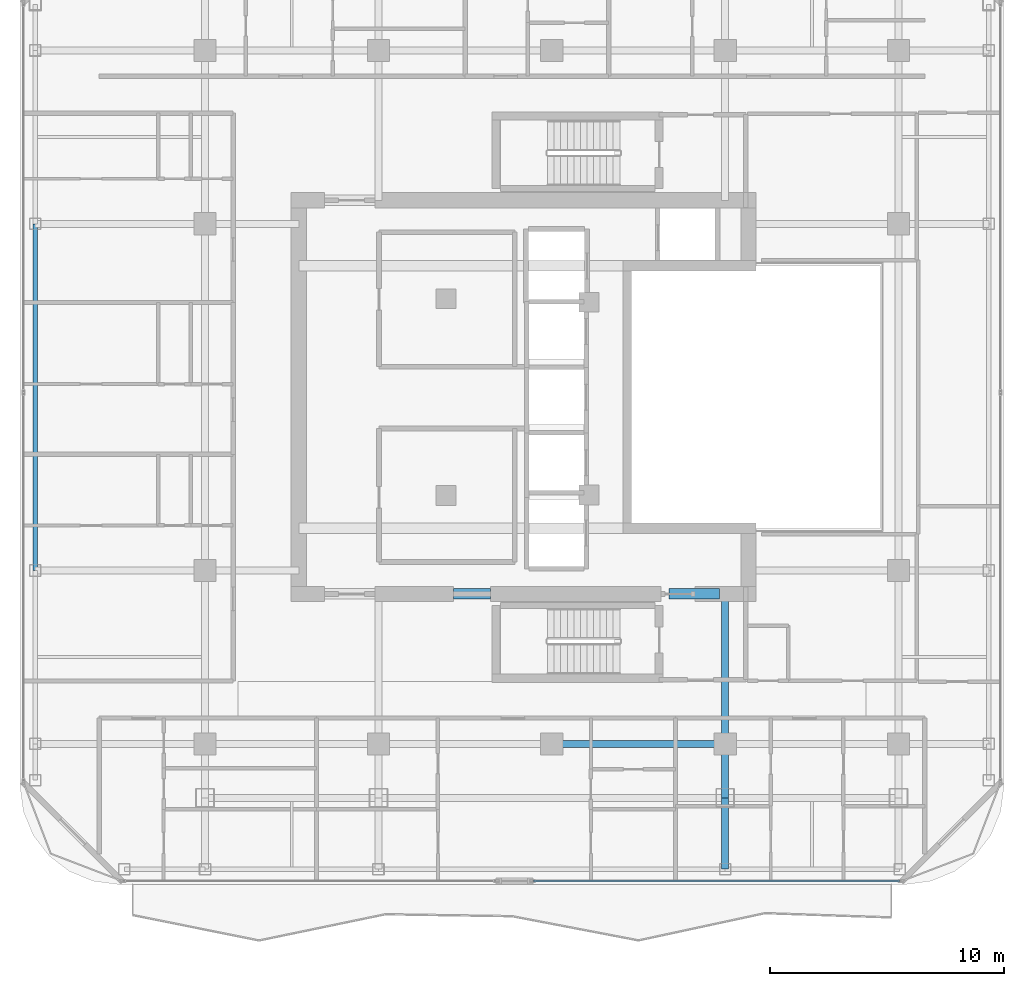
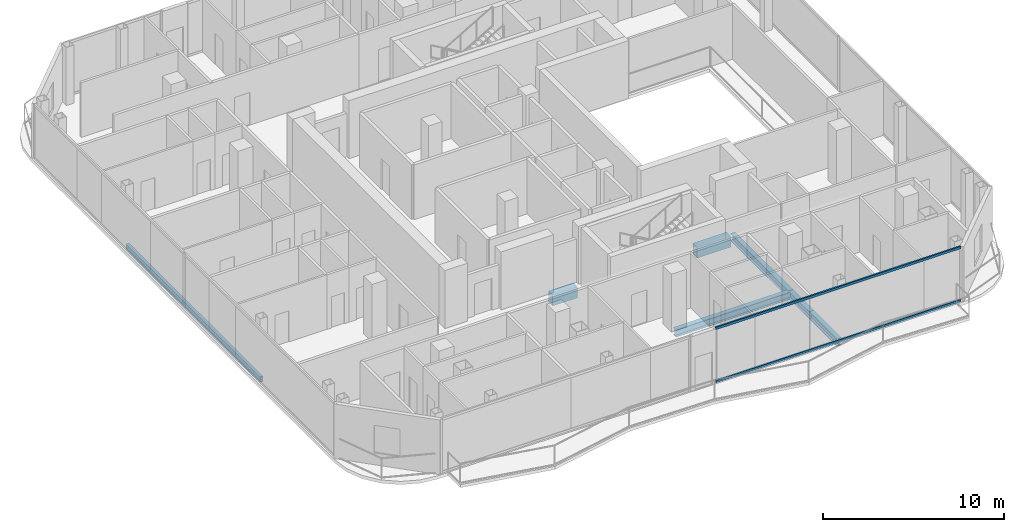
# One storey, part 5 of 23: 7 beams, 2 members, 1 element without a shape of its own.
"""IFC4 building model written with IfcOpenShell, lengths in metres."""

from ifc_helpers import new_model, si_unit, direction, frame, origin, origin_2d, place, context, subcontext, project, spatial, rectangle, hollow_rectangle, i_section, extrude, material, layer, layer_set, material_profile, profile_set, type_object, element, aggregate, save


model = new_model("IFC4")

# Units and contexts
model_context = context("Model", 3, precision=1e-05, world=origin(), true_north=direction((0.0, 1.0)))
body_context = subcontext(model_context, "Body", "Model", "MODEL_VIEW")
ifc_project = project(units=[si_unit("LENGTHUNIT", "METRE"), si_unit("AREAUNIT", "SQUARE_METRE"), si_unit("VOLUMEUNIT", "CUBIC_METRE"), si_unit("PLANEANGLEUNIT", "RADIAN"), si_unit("MASSUNIT", "GRAM", prefix="KILO")], contexts=[model_context])

# Site, building, storey
site_placement = place(None, origin())
site = spatial("IfcSite", under=ifc_project, at=site_placement, CompositionType="ELEMENT")
building_placement = place(site_placement, origin())
building = spatial("IfcBuilding", under=site, at=building_placement, Name="Khorvyn Point Tower", CompositionType="ELEMENT")
storey_placement = place(building_placement, frame((0.0, 0.0, 297.60009765625)))
storey = spatial("IfcBuildingStorey", under=building, at=storey_placement, Name="L73", CompositionType="ELEMENT", Elevation=297.60009765625)

# Curtain wall, members
ifc_material_1 = material(Name="Anodised aluminium 6063-T6 and laminated Low-E glass", Category="aluminium")
ifc_layer = layer(ifc_material_1, 0.18994140625)
ifc_layer_set = layer_set([ifc_layer], Name="Stick-Built High-Wind Curtain Wall CW-SYS-04")
curtain_wall_type = type_object("IfcCurtainWallType", Name="Stick-Built High-Wind Curtain Wall CW-SYS-04", PredefinedType="NOTDEFINED", material=ifc_layer_set)
curtain_wall_placement = place(storey_placement, origin())
curtain_wall = element("IfcCurtainWall", 1, at=curtain_wall_placement, inside=storey, type_object=curtain_wall_type, Name="Curtain Wall", PredefinedType="NOTDEFINED")
ifc_material_2 = material(Name="Anodised aluminium 6063-T6", Category="aluminium")
ifc_material_profile_1 = material_profile(ifc_material_2, hollow_rectangle(XDim=0.10009765625, YDim=0.159912109375, WallThickness=0.00439453125, at=origin_2d()))
ifc_profile_set_1 = profile_set([ifc_material_profile_1], Name="Anodised aluminium 6063-T6 ALU-TRN-100x160")
member_type = type_object("IfcMemberType", Name="Anodised Aluminium 6063-T6 Transom ALU-TRN-100x160", PredefinedType="USERDEFINED", material=ifc_profile_set_1)
member_1_placement = place(storey_placement, frame((14.85009765625, -20.64990234375, 0.0498046875), z_axis=(-1.0, 0.0, 0.0), x_axis=(0.0, -1.0, 0.0)))
member_1 = element("IfcMember", 2, at=member_1_placement, type_object=member_type, Name="Transom", ObjectType="TRANSOM", PredefinedType="USERDEFINED", context=body_context, shape_type="SweptSolid", body=[
    extrude(hollow_rectangle(XDim=0.10009765625, YDim=0.159912109375, WallThickness=0.00439453125, at=origin_2d()), origin(), (0.0, 0.0, 1.0), 15.627197265625),
])
member_2_placement = place(storey_placement, frame((14.85009765625, -20.64990234375, 3.6298828125), z_axis=(-1.0, 0.0, 0.0), x_axis=(0.0, -1.0, 0.0)))
member_2 = element("IfcMember", 3, at=member_2_placement, type_object=member_type, Name="Transom", ObjectType="TRANSOM", PredefinedType="USERDEFINED", context=body_context, shape_type="SweptSolid", body=[
    extrude(hollow_rectangle(XDim=0.10009765625, YDim=0.159912109375, WallThickness=0.00439453125, at=origin_2d()), origin(), (0.0, 0.0, 1.0), 15.627197265625),
])
aggregate(curtain_wall, [member_1, member_2])

# Beams
ifc_material_3 = material(Name="Concrete C40/50", Category="concrete")
ifc_material_profile_2 = material_profile(ifc_material_3, rectangle(XDim=0.449951171875, YDim=0.75, at=origin_2d()))
ifc_profile_set_2 = profile_set([ifc_material_profile_2], Name="Concrete C40/50 RC450x750")
beam_type_1 = type_object("IfcBeamType", Name="Concrete C40/50 Beam RC450x750", PredefinedType="BEAM", material=ifc_profile_set_2)
beam_1_placement = place(storey_placement, frame((-4.199951171875, -8.39990234375, -0.59521484375), z_axis=(1.0, 0.0, 0.0), x_axis=(0.0, 1.0, 0.0)))
element("IfcBeam", 4, at=beam_1_placement, inside=storey, type_object=beam_type_1, Name="L73 Core Shuttle Portal Coupling Beam", PredefinedType="BEAM", context=body_context, shape_type="SweptSolid", body=[
    extrude(rectangle(XDim=0.449951171875, YDim=0.75, at=origin_2d()), origin(), (0.0, 0.0, 1.0), 1.579833984375),
])
beam_2_placement = place(storey_placement, frame((5.0, -8.39990234375, -0.59521484375), z_axis=(1.0, 0.0, 0.0), x_axis=(0.0, 1.0, 0.0)))
element("IfcBeam", 5, at=beam_2_placement, inside=storey, type_object=beam_type_1, Name="L73 Core Southeast Portal Coupling Beam", PredefinedType="BEAM", context=body_context, shape_type="SweptSolid", body=[
    extrude(rectangle(XDim=0.449951171875, YDim=0.75, at=origin_2d()), origin(), (0.0, 0.0, 1.0), 2.14990234375),
])
ifc_material_4 = material(Name="Steel S355", Category="steel")
ifc_material_profile_3 = material_profile(ifc_material_4, i_section(OverallWidth=0.300048828125, OverallDepth=0.488037109375, WebThickness=0.010986328125, FlangeThickness=0.01806640625, at=origin_2d()))
ifc_profile_set_3 = profile_set([ifc_material_profile_3], Name="Steel S355 H488x300x11x18")
beam_type_2 = type_object("IfcBeamType", Name="Steel S355 Spandrel H488x300x11x18", PredefinedType="SPANDREL", material=ifc_profile_set_3)
beam_3_placement = place(storey_placement, frame((0.0, -14.800048828125, -0.464111328125), z_axis=(1.0, 0.0, 0.0), x_axis=(0.0, 1.0, 0.0)))
element("IfcBeam", 6, at=beam_3_placement, inside=storey, type_object=beam_type_2, Name="Beam", PredefinedType="SPANDREL", context=body_context, shape_type="SweptSolid", body=[
    extrude(i_section(OverallWidth=0.300048828125, OverallDepth=0.488037109375, WebThickness=0.010986328125, FlangeThickness=0.01806640625, at=origin_2d()), origin(), (0.0, 0.0, 1.0), 7.39990234375),
])
beam_4_placement = place(storey_placement, frame((7.39990234375, -20.14990234375, -0.464111328125), z_axis=(0.0, 1.0, 0.0), x_axis=(-1.0, 0.0, 0.0)))
element("IfcBeam", 7, at=beam_4_placement, inside=storey, type_object=beam_type_2, Name="Beam", PredefinedType="SPANDREL", context=body_context, shape_type="SweptSolid", body=[
    extrude(i_section(OverallWidth=0.300048828125, OverallDepth=0.488037109375, WebThickness=0.010986328125, FlangeThickness=0.01806640625, at=origin_2d()), origin(), (0.0, 0.0, 1.0), 3.0498046875),
])
beam_5_placement = place(storey_placement, frame((7.39990234375, -17.10009765625, -0.464111328125), z_axis=(0.0, 1.0, 0.0), x_axis=(-1.0, 0.0, 0.0)))
element("IfcBeam", 8, at=beam_5_placement, inside=storey, type_object=beam_type_2, Name="Beam", PredefinedType="SPANDREL", context=body_context, shape_type="SweptSolid", body=[
    extrude(i_section(OverallWidth=0.300048828125, OverallDepth=0.488037109375, WebThickness=0.010986328125, FlangeThickness=0.01806640625, at=origin_2d()), origin(), (0.0, 0.0, 1.0), 2.300048828125),
])
beam_6_placement = place(storey_placement, frame((7.39990234375, -14.800048828125, -0.464111328125), z_axis=(0.0, 1.0, 0.0), x_axis=(-1.0, 0.0, 0.0)))
element("IfcBeam", 9, at=beam_6_placement, inside=storey, type_object=beam_type_2, Name="Beam", PredefinedType="SPANDREL", context=body_context, shape_type="SweptSolid", body=[
    extrude(i_section(OverallWidth=0.300048828125, OverallDepth=0.488037109375, WebThickness=0.010986328125, FlangeThickness=0.01806640625, at=origin_2d()), origin(), (0.0, 0.0, 1.0), 6.400146484375),
])
ifc_material_profile_4 = material_profile(ifc_material_4, hollow_rectangle(XDim=0.199951171875, YDim=0.35009765625, WallThickness=0.013916015625, at=origin_2d()))
ifc_profile_set_4 = profile_set([ifc_material_profile_4], Name="Steel S355 RHS350x200x14")
beam_type_3 = type_object("IfcBeamType", Name="Steel S355 Spandrel RHS350x200x14", PredefinedType="SPANDREL", material=ifc_profile_set_4)
beam_7_placement = place(storey_placement, frame((-22.050048828125, -7.39990234375, -0.39501953125), z_axis=(0.0, 1.0, 0.0), x_axis=(-1.0, 0.0, 0.0)))
element("IfcBeam", 10, at=beam_7_placement, inside=storey, type_object=beam_type_3, Name="Beam", PredefinedType="SPANDREL", context=body_context, shape_type="SweptSolid", body=[
    extrude(hollow_rectangle(XDim=0.199951171875, YDim=0.35009765625, WallThickness=0.013916015625, at=origin_2d()), origin(), (0.0, 0.0, 1.0), 14.7998046875),
])

save(model, "model.ifc")
